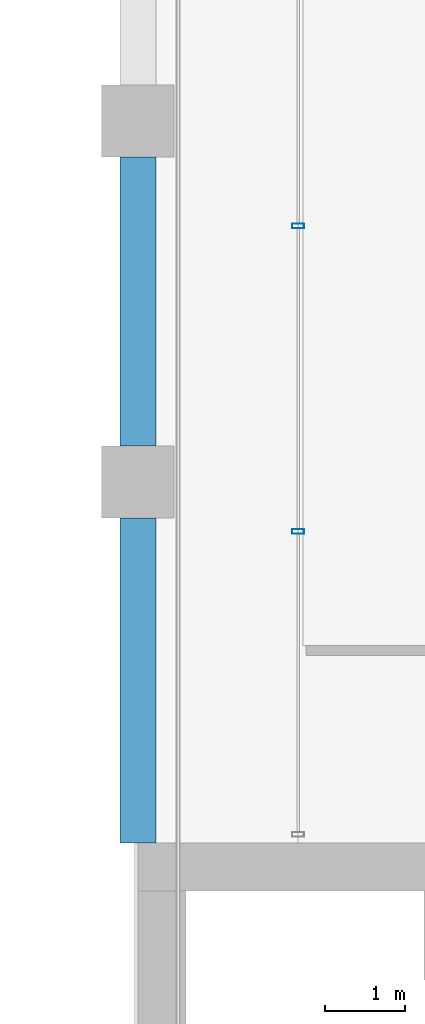
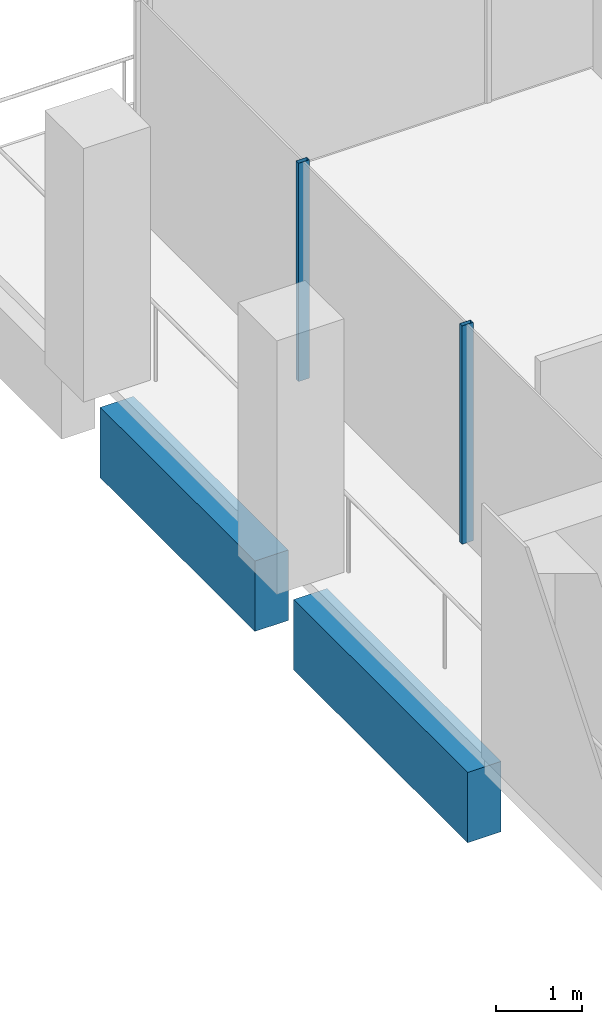
# One storey, part 20 of 40: 2 beams, 2 members, 1 element without a shape of its own.
"""IFC4 building model written with IfcOpenShell, lengths in metres."""

from ifc_helpers import new_model, si_unit, direction, frame, origin, origin_2d, place, context, subcontext, project, spatial, rectangle, hollow_rectangle, extrude, material, material_profile, profile_set, type_object, element, aggregate, save


model = new_model("IFC4")

# Units and contexts
model_context = context("Model", 3, precision=1e-05, world=origin(), true_north=direction((0.0, 1.0)))
body_context = subcontext(model_context, "Body", "Model", "MODEL_VIEW")
ifc_project = project(units=[si_unit("LENGTHUNIT", "METRE"), si_unit("AREAUNIT", "SQUARE_METRE"), si_unit("VOLUMEUNIT", "CUBIC_METRE"), si_unit("PLANEANGLEUNIT", "RADIAN"), si_unit("MASSUNIT", "GRAM", prefix="KILO")], contexts=[model_context])

# Site, building, storey
site_placement = place(None, origin())
site = spatial("IfcSite", under=ifc_project, at=site_placement, CompositionType="ELEMENT")
building_placement = place(site_placement, origin())
building = spatial("IfcBuilding", under=site, at=building_placement, Name="Altepetl Exchange Towers", CompositionType="ELEMENT")
storey_placement = place(building_placement, frame((0.0, 0.0, 147.39990234375)))
storey = spatial("IfcBuildingStorey", under=building, at=storey_placement, Name="L36", CompositionType="ELEMENT", Elevation=147.39990234375)

# Curtain wall, members
ifc_material_1 = material(Name="Aluminium 6063-T6 glazing", Category="aluminium")
curtain_wall_type = type_object("IfcCurtainWallType", Name="Loggia glazing system", PredefinedType="NOTDEFINED", material=ifc_material_1)
curtain_wall_placement = place(storey_placement, origin())
curtain_wall = element("IfcCurtainWall", 1, at=curtain_wall_placement, inside=storey, type_object=curtain_wall_type, Name="CW1 run", PredefinedType="NOTDEFINED")
ifc_material_2 = material(Name="Aluminium 6063-T6", Category="aluminium")
ifc_material_profile_1 = material_profile(ifc_material_2, hollow_rectangle(XDim=0.06005859375, YDim=0.14990234375, WallThickness=0.0029296875, at=origin_2d()), Name="Mullion 60x150 aluminium")
ifc_profile_set_1 = profile_set([ifc_material_profile_1], Name="Aluminium 6063-T6")
member_type = type_object("IfcMemberType", Name="Mullion 60x150 aluminium", PredefinedType="MULLION", material=ifc_profile_set_1)
member_1_placement = place(storey_placement, frame((42.5, 66.191650390625, 0.0), z_axis=(0.0, 0.0, 1.0), x_axis=(0.0, -1.0, 0.0)))
member_1 = element("IfcMember", 2, at=member_1_placement, type_object=member_type, Name="MU1 mullion", PredefinedType="MULLION", context=body_context, shape_type="SweptSolid", body=[
    extrude(hollow_rectangle(XDim=0.06005859375, YDim=0.14990234375, WallThickness=0.0029296875, at=origin_2d()), origin(), (0.0, 0.0, 1.0), 3.10009765625),
])
member_2_placement = place(storey_placement, frame((42.5, 62.38330078125, 0.0), z_axis=(0.0, 0.0, 1.0), x_axis=(0.0, -1.0, 0.0)))
member_2 = element("IfcMember", 3, at=member_2_placement, type_object=member_type, Name="MU1 mullion", PredefinedType="MULLION", context=body_context, shape_type="SweptSolid", body=[
    extrude(hollow_rectangle(XDim=0.06005859375, YDim=0.14990234375, WallThickness=0.0029296875, at=origin_2d()), origin(), (0.0, 0.0, 1.0), 3.10009765625),
])
aggregate(curtain_wall, [member_1, member_2])

# Beams
ifc_material_3 = material(Name="Concrete C50/60 precast with tezontle facing", Category="concrete")
ifc_material_profile_2 = material_profile(ifc_material_3, rectangle(XDim=0.449951171875, YDim=1.0, at=origin_2d()), Name="450 x 1000")
ifc_profile_set_2 = profile_set([ifc_material_profile_2], Name="Concrete C50/60 precast with tezontle facing")
beam_type = type_object("IfcBeamType", Name="Spandrel beam 450x1000 tezontle", PredefinedType="SPANDREL", material=ifc_profile_set_2)
beam_1_placement = place(storey_placement, frame((40.5, 67.050048828125, -0.64990234375), z_axis=(0.0, -1.0, 0.0), x_axis=(1.0, 0.0, 0.0)))
element("IfcBeam", 4, at=beam_1_placement, inside=storey, type_object=beam_type, Name="sp:A:L36:031", PredefinedType="SPANDREL", context=body_context, shape_type="SweptSolid", body=[
    extrude(rectangle(XDim=0.449951171875, YDim=1.0, at=origin_2d()), origin(), (0.0, 0.0, 1.0), 3.60009765625),
])
beam_2_placement = place(storey_placement, frame((40.5, 62.550048828125, -0.64990234375), z_axis=(0.0, -1.0, 0.0), x_axis=(1.0, 0.0, 0.0)))
element("IfcBeam", 5, at=beam_2_placement, inside=storey, type_object=beam_type, Name="sp:A:L36:032", PredefinedType="SPANDREL", context=body_context, shape_type="SweptSolid", body=[
    extrude(rectangle(XDim=0.449951171875, YDim=1.0, at=origin_2d()), origin(), (0.0, 0.0, 1.0), 4.050048828125),
])

save(model, "model.ifc")
